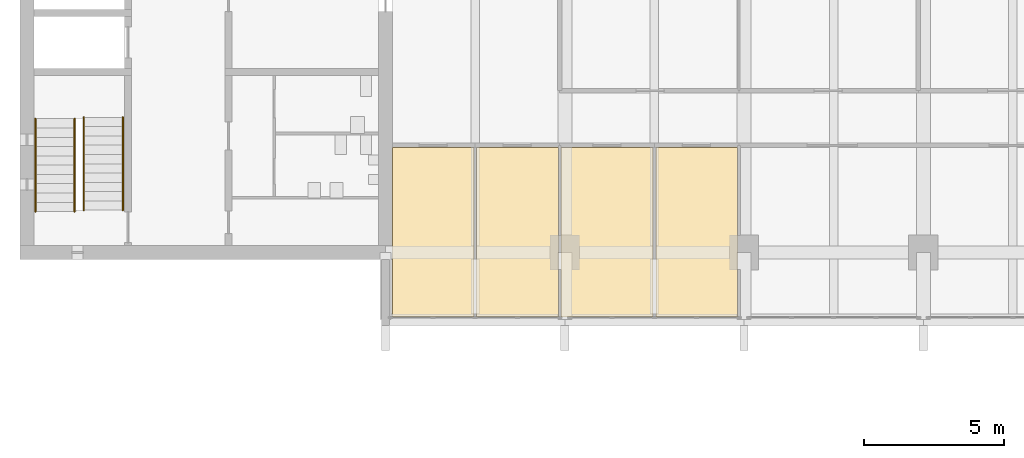
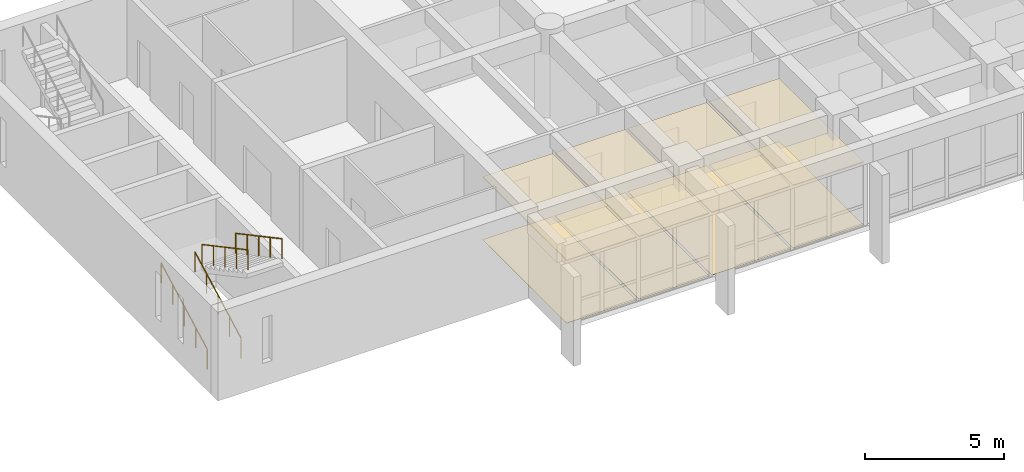
# One storey, part 16 of 19: 8 coverings, 4 railings.
"""IFC4 building model written with IfcOpenShell, lengths in metres."""

from ifc_helpers import new_model, si_unit, direction, frame, origin, origin_2d, place, context, subcontext, project, spatial, polyline, circle, outline, extrude, material, layer, layer_set, type_object, element, save


model = new_model("IFC4")

# Units and contexts
model_context = context("Model", 3, precision=1e-05, world=origin(), true_north=direction((0.0, 1.0)))
body_context = subcontext(model_context, "Body", "Model", "MODEL_VIEW")
ifc_project = project(units=[si_unit("LENGTHUNIT", "METRE"), si_unit("AREAUNIT", "SQUARE_METRE"), si_unit("VOLUMEUNIT", "CUBIC_METRE"), si_unit("PLANEANGLEUNIT", "RADIAN"), si_unit("MASSUNIT", "GRAM", prefix="KILO")], contexts=[model_context])

# Site, building, storey
site_placement = place(None, origin())
site = spatial("IfcSite", under=ifc_project, at=site_placement, CompositionType="ELEMENT")
building_placement = place(site_placement, origin())
building = spatial("IfcBuilding", under=site, at=building_placement, Name="Fogon Plaza Fire Station and Headquarters Tower", CompositionType="ELEMENT")
storey_placement = place(building_placement, frame((0.0, 0.0, 24.89990234375)))
storey = spatial("IfcBuildingStorey", under=building, at=storey_placement, Name="L06", CompositionType="ELEMENT", Elevation=24.89990234375)

# Railings
ifc_material_1 = material(Name="Steel", Category="steel")
railing_type = type_object("IfcRailingType", Name="Stair Handrail 900", PredefinedType="HANDRAIL", material=ifc_material_1)
for number, where, name in (
    (1, (13.10009765625, 35.06005859375, 0.177490234375), "Handrail ST1"),
    (2, (14.5, 35.06005859375, 0.177490234375), "Handrail ST1"),
):
    element("IfcRailing", number, at=place(storey_placement, frame(where)), inside=storey, type_object=railing_type, Name=name, PredefinedType="HANDRAIL", context=body_context, shape_type="SweptSolid", body=[
        extrude(circle(Radius=0.02392578125, at=origin_2d()), frame((0.0, 0.0, 0.8759765625), z_axis=(0.0, 0.881829236777, 0.471568867892), x_axis=(-1.0, 0.0, 0.0)), (0.0, 0.0, 1.0), 3.75927734375),
        extrude(circle(Radius=0.02099609375, at=origin_2d()), origin(), (0.0, 0.0, 1.0), 0.851806640625),
        extrude(circle(Radius=0.02099609375, at=origin_2d()), frame((0.0, 0.82861328125, 0.443115234375)), (0.0, 0.0, 1.0), 0.851806640625),
        extrude(circle(Radius=0.02099609375, at=origin_2d()), frame((0.0, 1.657470703125, 0.88623046875)), (0.0, 0.0, 1.0), 0.851806640625),
        extrude(circle(Radius=0.02099609375, at=origin_2d()), frame((0.0, 2.486328125, 1.32958984375)), (0.0, 0.0, 1.0), 0.851806640625),
        extrude(circle(Radius=0.02099609375, at=origin_2d()), frame((0.0, 3.31494140625, 1.772705078125)), (0.0, 0.0, 1.0), 0.851806640625),
    ])
for number, where, name in (
    (3, (16.22509765625, 38.425048828125, 2.12744140625), "Handrail ST1"),
    (4, (14.824951171875, 38.425048828125, 2.12744140625), "Handrail ST1"),
):
    element("IfcRailing", number, at=place(storey_placement, frame(where)), inside=storey, type_object=railing_type, Name=name, PredefinedType="HANDRAIL", context=body_context, shape_type="SweptSolid", body=[
        extrude(circle(Radius=0.02392578125, at=origin_2d()), frame((0.0, 0.0, 0.8759765625), z_axis=(0.0, -0.881829236777, 0.471568867892), x_axis=(1.0, 0.0, 0.0)), (0.0, 0.0, 1.0), 3.75927734375),
        extrude(circle(Radius=0.02099609375, at=origin_2d()), origin(), (0.0, 0.0, 1.0), 0.851806640625),
        extrude(circle(Radius=0.02099609375, at=origin_2d()), frame((0.0, -0.82861328125, 0.443115234375)), (0.0, 0.0, 1.0), 0.851806640625),
        extrude(circle(Radius=0.02099609375, at=origin_2d()), frame((0.0, -1.657470703125, 0.88623046875)), (0.0, 0.0, 1.0), 0.851806640625),
        extrude(circle(Radius=0.02099609375, at=origin_2d()), frame((0.0, -2.486328125, 1.32958984375)), (0.0, 0.0, 1.0), 0.851806640625),
        extrude(circle(Radius=0.02099609375, at=origin_2d()), frame((0.0, -3.31494140625, 1.772705078125)), (0.0, 0.0, 1.0), 0.851806640625),
    ])

# Coverings
ifc_material_2 = material(Name="Carpet tile")
ifc_layer_1 = layer(ifc_material_2, 0.011962890625)
ifc_layer_set_1 = layer_set([ifc_layer_1], Name="Carpet tile")
covering_type_1 = type_object("IfcCoveringType", Name="Tower carpet tile floor", PredefinedType="FLOORING", material=ifc_layer_set_1)
covering_1_placement = place(storey_placement, origin())
element("IfcCovering", 5, at=covering_1_placement, inside=storey, type_object=covering_type_1, Name="cov-fl-L06-01", PredefinedType="FLOORING", context=body_context, shape_type="SweptSolid", body=[
    extrude(outline(polyline([(28.75, 31.300048828125), (28.75, 37.35009765625), (25.85009765625, 37.35009765625), (25.85009765625, 31.300048828125), (28.75, 31.300048828125)])), origin(), (0.0, 0.0, 1.0), 0.01220703125),
])
covering_2_placement = place(storey_placement, origin())
element("IfcCovering", 6, at=covering_2_placement, inside=storey, type_object=covering_type_1, Name="cov-fl-L06-02", PredefinedType="FLOORING", context=body_context, shape_type="SweptSolid", body=[
    extrude(outline(polyline([(31.77001953125, 31.300048828125), (31.77001953125, 37.35009765625), (28.85009765625, 37.35009765625), (28.85009765625, 31.300048828125), (31.77001953125, 31.300048828125)])), origin(), (0.0, 0.0, 1.0), 0.01220703125),
])
covering_3_placement = place(storey_placement, origin())
element("IfcCovering", 7, at=covering_3_placement, inside=storey, type_object=covering_type_1, Name="cov-fl-L06-03", PredefinedType="FLOORING", context=body_context, shape_type="SweptSolid", body=[
    extrude(outline(polyline([(35.14990234375, 31.300048828125), (35.14990234375, 37.35009765625), (31.8701171875, 37.35009765625), (31.8701171875, 31.300048828125), (35.14990234375, 31.300048828125)])), origin(), (0.0, 0.0, 1.0), 0.01220703125),
])
covering_4_placement = place(storey_placement, origin())
element("IfcCovering", 8, at=covering_4_placement, inside=storey, type_object=covering_type_1, Name="cov-fl-L06-04", PredefinedType="FLOORING", context=body_context, shape_type="SweptSolid", body=[
    extrude(outline(polyline([(38.169921875, 31.300048828125), (38.169921875, 37.35009765625), (35.25, 37.35009765625), (35.25, 31.300048828125), (38.169921875, 31.300048828125)])), origin(), (0.0, 0.0, 1.0), 0.01220703125),
])
ifc_material_3 = material(Name="Mineral fibre ceiling tile")
ifc_layer_2 = layer(ifc_material_3, 0.0400390625)
ifc_layer_set_2 = layer_set([ifc_layer_2], Name="Mineral fibre ceiling tile")
covering_type_2 = type_object("IfcCoveringType", Name="Tower suspended tile ceiling", PredefinedType="CEILING", material=ifc_layer_set_2)
covering_5_placement = place(storey_placement, frame((0.0, 0.0, 2.739990234375)))
element("IfcCovering", 9, at=covering_5_placement, inside=storey, type_object=covering_type_2, Name="cov-cl-L06-01", PredefinedType="CEILING", context=body_context, shape_type="SweptSolid", body=[
    extrude(outline(polyline([(28.75, 31.300048828125), (28.75, 37.35009765625), (25.85009765625, 37.35009765625), (25.85009765625, 31.300048828125), (28.75, 31.300048828125)])), origin(), (0.0, 0.0, 1.0), 0.0400390625),
])
covering_6_placement = place(storey_placement, frame((0.0, 0.0, 2.739990234375)))
element("IfcCovering", 10, at=covering_6_placement, inside=storey, type_object=covering_type_2, Name="cov-cl-L06-02", PredefinedType="CEILING", context=body_context, shape_type="SweptSolid", body=[
    extrude(outline(polyline([(31.77001953125, 31.300048828125), (31.77001953125, 37.35009765625), (28.85009765625, 37.35009765625), (28.85009765625, 31.300048828125), (31.77001953125, 31.300048828125)])), origin(), (0.0, 0.0, 1.0), 0.0400390625),
])
covering_7_placement = place(storey_placement, frame((0.0, 0.0, 2.739990234375)))
element("IfcCovering", 11, at=covering_7_placement, inside=storey, type_object=covering_type_2, Name="cov-cl-L06-03", PredefinedType="CEILING", context=body_context, shape_type="SweptSolid", body=[
    extrude(outline(polyline([(35.14990234375, 31.300048828125), (35.14990234375, 37.35009765625), (31.8701171875, 37.35009765625), (31.8701171875, 31.300048828125), (35.14990234375, 31.300048828125)])), origin(), (0.0, 0.0, 1.0), 0.0400390625),
])
covering_8_placement = place(storey_placement, frame((0.0, 0.0, 2.739990234375)))
element("IfcCovering", 12, at=covering_8_placement, inside=storey, type_object=covering_type_2, Name="cov-cl-L06-04", PredefinedType="CEILING", context=body_context, shape_type="SweptSolid", body=[
    extrude(outline(polyline([(38.169921875, 31.300048828125), (38.169921875, 37.35009765625), (35.25, 37.35009765625), (35.25, 31.300048828125), (38.169921875, 31.300048828125)])), origin(), (0.0, 0.0, 1.0), 0.0400390625),
])

save(model, "model.ifc")
